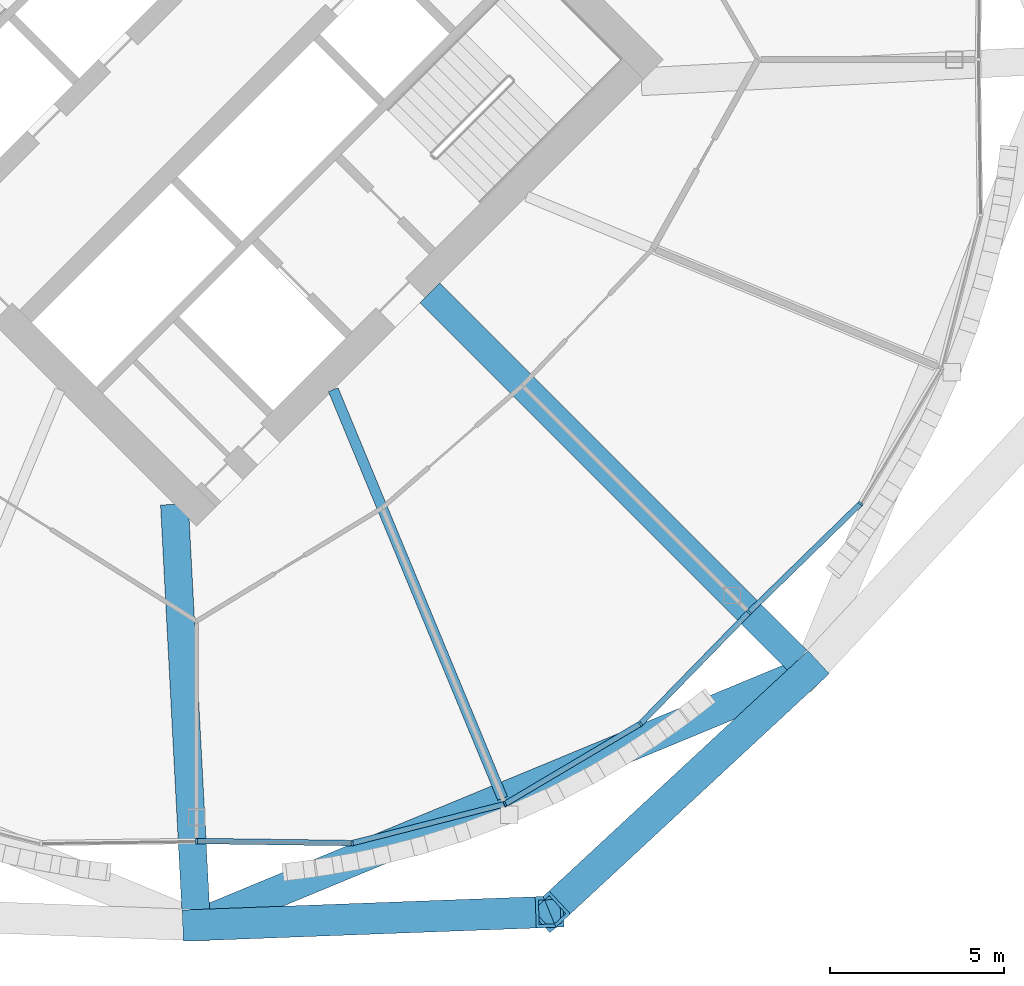
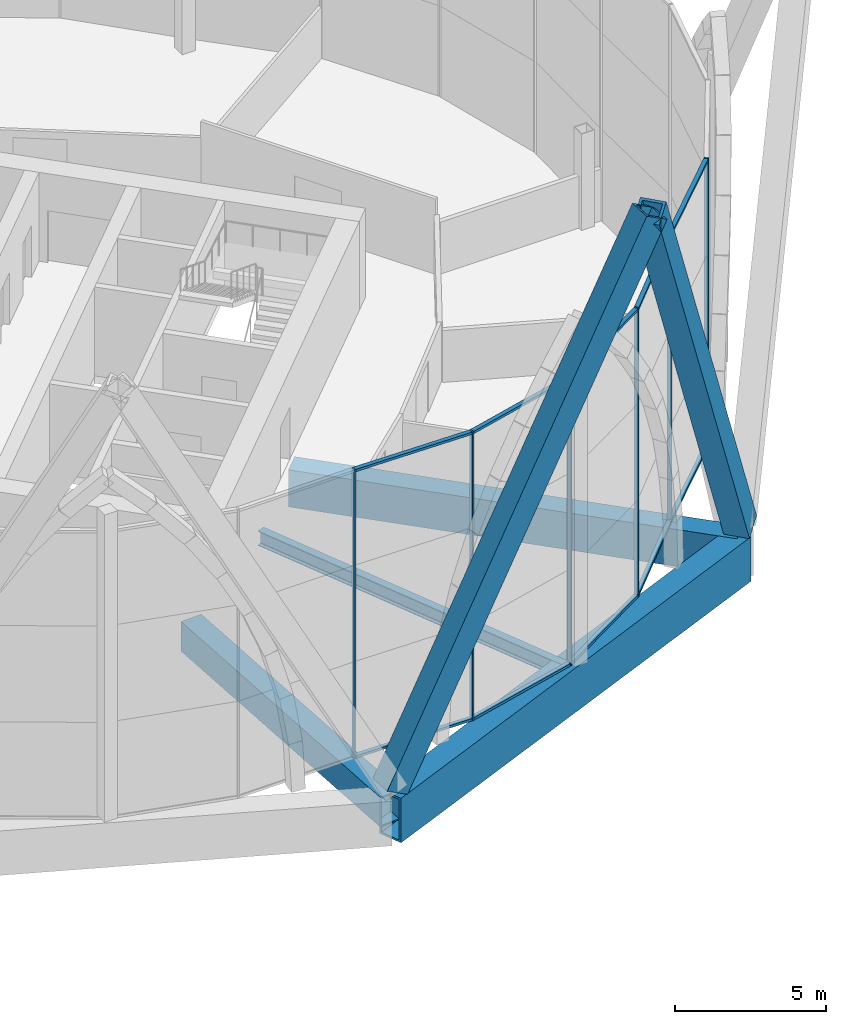
# One storey, part 17 of 37: 18 members, 4 beams, 3 elements without a shape of their own.
"""IFC4 building model written with IfcOpenShell, lengths in metres."""

from ifc_helpers import new_model, si_unit, direction, frame, origin, origin_2d, place, context, subcontext, project, spatial, rectangle, hollow_rectangle, i_section, extrude, material, material_profile, profile_set, type_object, element, aggregate, save


model = new_model("IFC4")

# Units and contexts
model_context = context("Model", 3, precision=1e-05, world=origin(), true_north=direction((0.0, 1.0)))
body_context = subcontext(model_context, "Body", "Model", "MODEL_VIEW")
ifc_project = project(units=[si_unit("LENGTHUNIT", "METRE"), si_unit("AREAUNIT", "SQUARE_METRE"), si_unit("VOLUMEUNIT", "CUBIC_METRE"), si_unit("PLANEANGLEUNIT", "RADIAN"), si_unit("MASSUNIT", "GRAM", prefix="KILO")], contexts=[model_context])

# Site, building, storey
site_placement = place(None, origin())
site = spatial("IfcSite", under=ifc_project, at=site_placement, CompositionType="ELEMENT")
building_placement = place(site_placement, origin())
building = spatial("IfcBuilding", under=site, at=building_placement, Name="Ogive Gate Towers", CompositionType="ELEMENT")
storey_placement = place(building_placement, frame((0.0, 0.0, 32.39990234375)))
storey = spatial("IfcBuildingStorey", under=building, at=storey_placement, Name="L06", CompositionType="ELEMENT", Elevation=32.39990234375)

# Members
ifc_material_1 = material(Name="Steel SM460", Category="steel")
ifc_material_profile_1 = material_profile(ifc_material_1, hollow_rectangle(XDim=0.89990234375, YDim=0.89990234375, WallThickness=0.10009765625, at=origin_2d()), Name="BX 900x900x100")
ifc_profile_set_1 = profile_set([ifc_material_profile_1], Name="Steel SM460")
member_type_1 = type_object("IfcMemberType", Name="Diagrid diagonal BX 900x900x100", PredefinedType="BRACE", material=ifc_profile_set_1)
for number, where, z_axis, x_axis, name in (
    (1, (36.0, -24.909912109375, 0.0), (0.462004857089, 0.017318521171, 0.886708283964), (-0.037459273404, 0.999298155125, 0.0), "T2/L06/SDG014"),
    (2, (53.614013671875, -17.614013671875, 0.0), (-0.338942066201, -0.31444089886, 0.886704684144), (0.68011301839, -0.733107278791, 0.0), "T2/L06/SDG015"),
):
    element("IfcMember", number, at=place(storey_placement, frame(where, z_axis=z_axis, x_axis=x_axis)), inside=storey, type_object=member_type_1, Name=name, PredefinedType="BRACE", context=body_context, shape_type="SweptSolid", body=[
        extrude(hollow_rectangle(XDim=0.89990234375, YDim=0.89990234375, WallThickness=0.10009765625, at=origin_2d()), origin(), (0.0, 0.0, 1.0), 21.991455078125),
    ])

# Beams
ifc_material_profile_2 = material_profile(ifc_material_1, hollow_rectangle(XDim=0.89990234375, YDim=1.800048828125, WallThickness=0.080078125, at=origin_2d()), Name="BX 1800x900x80")
ifc_profile_set_2 = profile_set([ifc_material_profile_2], Name="Steel SM460")
beam_type_1 = type_object("IfcBeamType", Name="Edge girder BX 1800x900x80", PredefinedType="BEAM", material=ifc_profile_set_2)
beam_1_placement = place(storey_placement, frame((36.0, -24.909912109375, -1.199951171875), z_axis=(0.923880736283, 0.382680526191, 0.0), x_axis=(-0.382680526191, 0.923880736283, 0.0)))
element("IfcBeam", 3, at=beam_1_placement, inside=storey, type_object=beam_type_1, Name="T2/L06/SBM018", PredefinedType="BEAM", context=body_context, shape_type="SweptSolid", body=[
    extrude(hollow_rectangle(XDim=0.89990234375, YDim=1.800048828125, WallThickness=0.080078125, at=origin_2d()), origin(), (0.0, 0.0, 1.0), 19.065185546875),
])
ifc_material_2 = material(Name="Steel SM355", Category="steel")
ifc_material_profile_3 = material_profile(ifc_material_2, i_section(OverallWidth=0.300048828125, OverallDepth=0.590087890625, WebThickness=0.012939453125, FlangeThickness=0.02490234375, FilletRadius=0.027099609375, at=origin_2d()), Name="HE 600 A")
ifc_profile_set_3 = profile_set([ifc_material_profile_3], Name="Steel SM355")
beam_type_2 = type_object("IfcBeamType", Name="Radial floor beam HE 600 A", PredefinedType="BEAM", material=ifc_profile_set_3)
beam_2_placement = place(storey_placement, frame((39.93505859375, -9.5, -0.594970703125), z_axis=(0.382690523214, -0.923876595354, 0.0), x_axis=(0.923876595354, 0.382690523214, 0.0)))
element("IfcBeam", 4, at=beam_2_placement, inside=storey, type_object=beam_type_2, Name="T2/L06/SBM004", PredefinedType="BEAM", context=body_context, shape_type="SweptSolid", body=[
    extrude(i_section(OverallWidth=0.300048828125, OverallDepth=0.590087890625, WebThickness=0.012939453125, FlangeThickness=0.02490234375, FilletRadius=0.027099609375, at=origin_2d()), origin(), (0.0, 0.0, 1.0), 12.731201171875),
])

# Curtain wall, member
ifc_material_3 = material(Name="Pale metal aluminium", Category="aluminium")
curtain_wall_type = type_object("IfcCurtainWallType", Name="Tower unitised wall, low zone", PredefinedType="NOTDEFINED", material=ifc_material_3)
curtain_wall_1_placement = place(storey_placement, origin())
curtain_wall_1 = element("IfcCurtainWall", 5, at=curtain_wall_1_placement, inside=storey, type_object=curtain_wall_type, Name="CW1 T2 ECW06", PredefinedType="NOTDEFINED")
ifc_material_profile_4 = material_profile(ifc_material_3, rectangle(XDim=0.159912109375, YDim=0.06005859375, at=origin_2d()), Name="60 x 160 aluminium box")
ifc_profile_set_4 = profile_set([ifc_material_profile_4], Name="Pale metal aluminium")
member_type_2 = type_object("IfcMemberType", Name="Tower unitised wall, low zone mullion 60 x 160", PredefinedType="MULLION", material=ifc_profile_set_4)
member_1_placement = place(storey_placement, frame((35.999755859375, -22.489990234375, -0.2998046875), z_axis=(0.0, 0.0, 1.0), x_axis=(0.013386275544, -0.999910399799, 0.0)))
member_1 = element("IfcMember", 6, at=member_1_placement, type_object=member_type_2, Name="CW1 mullion", PredefinedType="MULLION", context=body_context, shape_type="SweptSolid", body=[
    extrude(rectangle(XDim=0.159912109375, YDim=0.06005859375, at=origin_2d()), origin(), (0.0, 0.0, 1.0), 11.699951171875),
])
aggregate(curtain_wall_1, [member_1])

# Curtain wall, members
curtain_wall_2_placement = place(storey_placement, origin())
curtain_wall_2 = element("IfcCurtainWall", 7, at=curtain_wall_2_placement, inside=storey, type_object=curtain_wall_type, Name="CW1 T2 ECW07", PredefinedType="NOTDEFINED")
member_2_placement = place(storey_placement, frame((40.47900390625, -22.550048828125, -0.2998046875), z_axis=(0.0, 0.0, 1.0), x_axis=(0.118247992189, -0.992984094708, 0.0)))
member_2 = element("IfcMember", 8, at=member_2_placement, type_object=member_type_2, Name="CW1 mullion", PredefinedType="MULLION", context=body_context, shape_type="SweptSolid", body=[
    extrude(rectangle(XDim=0.159912109375, YDim=0.06005859375, at=origin_2d()), origin(), (0.0, 0.0, 1.0), 11.699951171875),
])
member_3_placement = place(storey_placement, frame((44.874755859375, -21.42578125, -0.2998046875), z_axis=(0.0, 0.0, 1.0), x_axis=(0.382683432365, -0.923879532511, 0.0)))
member_3 = element("IfcMember", 9, at=member_3_placement, type_object=member_type_2, Name="CW1 mullion", PredefinedType="MULLION", context=body_context, shape_type="SweptSolid", body=[
    extrude(rectangle(XDim=0.159912109375, YDim=0.06005859375, at=origin_2d()), origin(), (0.0, 0.0, 1.0), 11.699951171875),
])
member_4_placement = place(storey_placement, frame((48.778076171875, -19.112548828125, -0.2998046875), z_axis=(0.0, 0.0, 1.0), x_axis=(0.61853182984, -0.785759744117, 0.0)))
member_4 = element("IfcMember", 10, at=member_4_placement, type_object=member_type_2, Name="CW1 mullion", PredefinedType="MULLION", context=body_context, shape_type="SweptSolid", body=[
    extrude(rectangle(XDim=0.159912109375, YDim=0.06005859375, at=origin_2d()), origin(), (0.0, 0.0, 1.0), 11.699951171875),
])
member_5_placement = place(storey_placement, frame((51.902587890625, -15.903076171875, -0.2998046875), z_axis=(0.0, 0.0, 1.0), x_axis=(0.716496775349, -0.697590403399, 0.0)))
member_5 = element("IfcMember", 11, at=member_5_placement, type_object=member_type_2, Name="CW1 mullion", PredefinedType="MULLION", context=body_context, shape_type="SweptSolid", body=[
    extrude(rectangle(XDim=0.159912109375, YDim=0.06005859375, at=origin_2d()), origin(), (0.0, 0.0, 1.0), 11.699951171875),
])

# Curtain wall, member
curtain_wall_3_placement = place(storey_placement, origin())
curtain_wall_3 = element("IfcCurtainWall", 12, at=curtain_wall_3_placement, inside=storey, type_object=curtain_wall_type, Name="CW1 T2 ECW08", PredefinedType="NOTDEFINED")
member_6_placement = place(storey_placement, frame((55.112548828125, -12.778076171875, -0.2998046875), z_axis=(0.0, 0.0, 1.0), x_axis=(0.785759744117, -0.61853182984, 0.0)))
member_6 = element("IfcMember", 13, at=member_6_placement, type_object=member_type_2, Name="CW1 mullion", PredefinedType="MULLION", context=body_context, shape_type="SweptSolid", body=[
    extrude(rectangle(XDim=0.159912109375, YDim=0.06005859375, at=origin_2d()), origin(), (0.0, 0.0, 1.0), 11.699951171875),
])

# Member
ifc_material_profile_5 = material_profile(ifc_material_3, rectangle(XDim=0.159912109375, YDim=0.10009765625, at=origin_2d()), Name="100 x 160 aluminium box")
ifc_profile_set_5 = profile_set([ifc_material_profile_5], Name="Pale metal aluminium")
member_type_3 = type_object("IfcMemberType", Name="Tower unitised wall, low zone transom 100 x 160", PredefinedType="USERDEFINED", material=ifc_profile_set_5)
member_7_placement = place(storey_placement, frame((36.0302734375, -22.490478515625, 11.35009765625), z_axis=(0.99991072997, -0.013361590097, 0.0), x_axis=(0.013361590097, 0.99991072997, 0.0)))
member_7 = element("IfcMember", 14, at=member_7_placement, type_object=member_type_3, Name="CW1 transom", ObjectType="TRANSOM", PredefinedType="USERDEFINED", context=body_context, shape_type="SweptSolid", body=[
    extrude(rectangle(XDim=0.159912109375, YDim=0.10009765625, at=origin_2d()), origin(), (0.0, 0.0, 1.0), 4.421875),
])

member_8_placement = place(storey_placement, frame((36.0302734375, -22.490478515625, -0.25), z_axis=(0.99991072997, -0.013361590097, 0.0), x_axis=(0.013361590097, 0.99991072997, 0.0)))
member_8 = element("IfcMember", 15, at=member_8_placement, type_object=member_type_3, Name="CW1 transom", ObjectType="TRANSOM", PredefinedType="USERDEFINED", context=body_context, shape_type="SweptSolid", body=[
    extrude(rectangle(XDim=0.159912109375, YDim=0.10009765625, at=origin_2d()), origin(), (0.0, 0.0, 1.0), 4.421875),
])

member_9_placement = place(storey_placement, frame((40.505615234375, -22.543212890625, 11.35009765625), z_axis=(0.968808178302, 0.24781185132, 0.0), x_axis=(-0.24781185132, 0.968808178302, 0.0)))
member_9 = element("IfcMember", 16, at=member_9_placement, type_object=member_type_3, Name="CW1 transom", ObjectType="TRANSOM", PredefinedType="USERDEFINED", context=body_context, shape_type="SweptSolid", body=[
    extrude(rectangle(XDim=0.159912109375, YDim=0.10009765625, at=origin_2d()), origin(), (0.0, 0.0, 1.0), 4.482666015625),
])

member_10_placement = place(storey_placement, frame((40.505615234375, -22.543212890625, -0.25), z_axis=(0.968808178302, 0.24781185132, 0.0), x_axis=(-0.24781185132, 0.968808178302, 0.0)))
member_10 = element("IfcMember", 17, at=member_10_placement, type_object=member_type_3, Name="CW1 transom", ObjectType="TRANSOM", PredefinedType="USERDEFINED", context=body_context, shape_type="SweptSolid", body=[
    extrude(rectangle(XDim=0.159912109375, YDim=0.10009765625, at=origin_2d()), origin(), (0.0, 0.0, 1.0), 4.482666015625),
])

member_11_placement = place(storey_placement, frame((44.898193359375, -21.41162109375, 11.35009765625), z_axis=(0.860267645697, 0.509842699042, 0.0), x_axis=(-0.509842699042, 0.860267645697, 0.0)))
member_11 = element("IfcMember", 18, at=member_11_placement, type_object=member_type_3, Name="CW1 transom", ObjectType="TRANSOM", PredefinedType="USERDEFINED", context=body_context, shape_type="SweptSolid", body=[
    extrude(rectangle(XDim=0.159912109375, YDim=0.10009765625, at=origin_2d()), origin(), (0.0, 0.0, 1.0), 4.482666015625),
])

member_12_placement = place(storey_placement, frame((44.898193359375, -21.41162109375, -0.25), z_axis=(0.860267645697, 0.509842699042, 0.0), x_axis=(-0.509842699042, 0.860267645697, 0.0)))
member_12 = element("IfcMember", 19, at=member_12_placement, type_object=member_type_3, Name="CW1 transom", ObjectType="TRANSOM", PredefinedType="USERDEFINED", context=body_context, shape_type="SweptSolid", body=[
    extrude(rectangle(XDim=0.159912109375, YDim=0.10009765625, at=origin_2d()), origin(), (0.0, 0.0, 1.0), 4.482666015625),
])

member_13_placement = place(storey_placement, frame((48.797119140625, -19.0927734375, 11.35009765625), z_axis=(0.697574167313, 0.716512582651, 0.0), x_axis=(-0.716512582651, 0.697574167313, 0.0)))
member_13 = element("IfcMember", 20, at=member_13_placement, type_object=member_type_3, Name="CW1 transom", ObjectType="TRANSOM", PredefinedType="USERDEFINED", context=body_context, shape_type="SweptSolid", body=[
    extrude(rectangle(XDim=0.159912109375, YDim=0.10009765625, at=origin_2d()), origin(), (0.0, 0.0, 1.0), 4.421630859375),
])

member_14_placement = place(storey_placement, frame((48.797119140625, -19.0927734375, -0.25), z_axis=(0.697574167313, 0.716512582651, 0.0), x_axis=(-0.716512582651, 0.697574167313, 0.0)))
member_14 = element("IfcMember", 21, at=member_14_placement, type_object=member_type_3, Name="CW1 transom", ObjectType="TRANSOM", PredefinedType="USERDEFINED", context=body_context, shape_type="SweptSolid", body=[
    extrude(rectangle(XDim=0.159912109375, YDim=0.10009765625, at=origin_2d()), origin(), (0.0, 0.0, 1.0), 4.421630859375),
])

aggregate(curtain_wall_2, [member_2, member_7, member_8, member_3, member_9, member_10, member_4, member_11, member_12, member_5, member_13, member_14])

member_15_placement = place(storey_placement, frame((51.924560546875, -15.881591796875, 11.35009765625), z_axis=(0.716512582651, 0.697574167313, 0.0), x_axis=(-0.697574167313, 0.716512582651, 0.0)))
member_15 = element("IfcMember", 22, at=member_15_placement, type_object=member_type_3, Name="CW1 transom", ObjectType="TRANSOM", PredefinedType="USERDEFINED", context=body_context, shape_type="SweptSolid", body=[
    extrude(rectangle(XDim=0.159912109375, YDim=0.10009765625, at=origin_2d()), origin(), (0.0, 0.0, 1.0), 4.421630859375),
])

member_16_placement = place(storey_placement, frame((51.924560546875, -15.881591796875, -0.25), z_axis=(0.716512582651, 0.697574167313, 0.0), x_axis=(-0.697574167313, 0.716512582651, 0.0)))
member_16 = element("IfcMember", 23, at=member_16_placement, type_object=member_type_3, Name="CW1 transom", ObjectType="TRANSOM", PredefinedType="USERDEFINED", context=body_context, shape_type="SweptSolid", body=[
    extrude(rectangle(XDim=0.159912109375, YDim=0.10009765625, at=origin_2d()), origin(), (0.0, 0.0, 1.0), 4.421630859375),
])

aggregate(curtain_wall_3, [member_6, member_15, member_16])

# Beams
ifc_material_profile_6 = material_profile(ifc_material_1, hollow_rectangle(XDim=0.800048828125, YDim=1.199951171875, WallThickness=0.050048828125, at=origin_2d()), Name="BX 1200x800x50")
ifc_profile_set_6 = profile_set([ifc_material_profile_6], Name="Steel SM460")
beam_type_3 = type_object("IfcBeamType", Name="Transfer radial beam BX 1200x800x50", PredefinedType="BEAM", material=ifc_profile_set_6)
beam_3_placement = place(storey_placement, frame((35.363525390625, -12.798583984375, -0.89990234375), z_axis=(0.052479590907, -0.998621996823, 0.0), x_axis=(0.998621996823, 0.052479590907, 0.0)))
element("IfcBeam", 24, at=beam_3_placement, inside=storey, type_object=beam_type_3, Name="T2/L06/SBM003", PredefinedType="BEAM", context=body_context, shape_type="SweptSolid", body=[
    extrude(hollow_rectangle(XDim=0.800048828125, YDim=1.199951171875, WallThickness=0.050048828125, at=origin_2d()), origin(), (0.0, 0.0, 1.0), 12.1279296875),
])
ifc_material_profile_7 = material_profile(ifc_material_1, hollow_rectangle(XDim=0.800048828125, YDim=1.5, WallThickness=0.06005859375, at=origin_2d()), Name="BX 1500x800x60")
ifc_profile_set_7 = profile_set([ifc_material_profile_7], Name="Steel SM460")
beam_type_4 = type_object("IfcBeamType", Name="Transfer radial beam BX 1500x800x60", PredefinedType="BEAM", material=ifc_profile_set_7)
beam_4_placement = place(storey_placement, frame((42.717529296875, -6.717529296875, -1.0498046875), z_axis=(0.707106781187, -0.707106781187, 0.0), x_axis=(0.707106781187, 0.707106781187, 0.0)))
element("IfcBeam", 25, at=beam_4_placement, inside=storey, type_object=beam_type_4, Name="T2/L06/SBM005", PredefinedType="BEAM", context=body_context, shape_type="SweptSolid", body=[
    extrude(hollow_rectangle(XDim=0.800048828125, YDim=1.5, WallThickness=0.06005859375, at=origin_2d()), origin(), (0.0, 0.0, 1.0), 15.409912109375),
])

save(model, "model.ifc")
